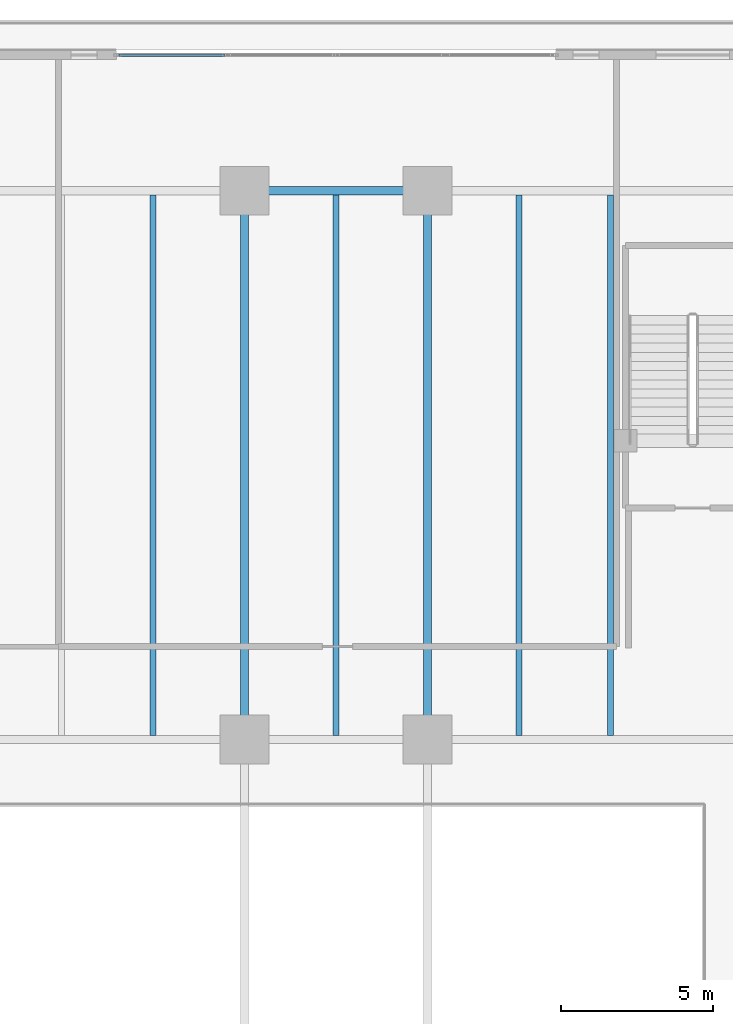
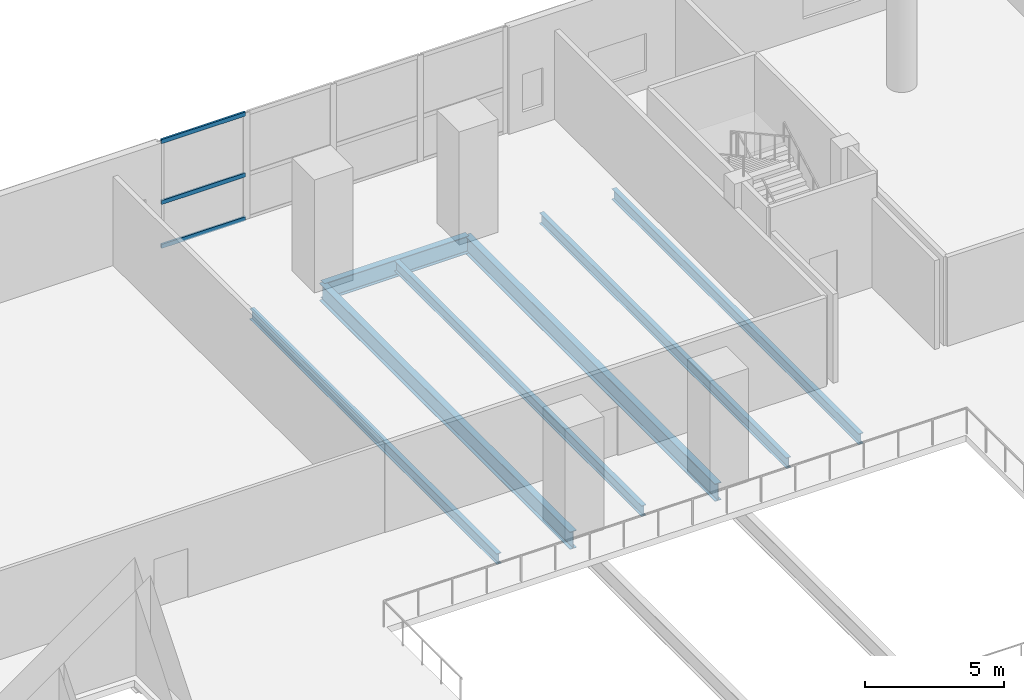
# One storey, part 7 of 27: 7 beams, 3 members, 1 element without a shape of its own.
"""IFC4 building model written with IfcOpenShell, lengths in metres."""

from ifc_helpers import new_model, si_unit, direction, frame, origin, origin_2d, place, context, subcontext, project, spatial, hollow_rectangle, i_section, extrude, material, layer, layer_set, material_profile, profile_set, type_object, element, aggregate, save


model = new_model("IFC4")

# Units and contexts
model_context = context("Model", 3, precision=1e-05, world=origin(), true_north=direction((0.0, 1.0)))
body_context = subcontext(model_context, "Body", "Model", "MODEL_VIEW")
ifc_project = project(units=[si_unit("LENGTHUNIT", "METRE"), si_unit("AREAUNIT", "SQUARE_METRE"), si_unit("VOLUMEUNIT", "CUBIC_METRE"), si_unit("PLANEANGLEUNIT", "RADIAN"), si_unit("MASSUNIT", "GRAM", prefix="KILO")], contexts=[model_context])

# Site, building, storey
site_placement = place(None, origin())
site = spatial("IfcSite", under=ifc_project, at=site_placement, CompositionType="ELEMENT")
building_placement = place(site_placement, origin())
building = spatial("IfcBuilding", under=site, at=building_placement, Name="Tanjung Sevakor Pilgrim Tower", CompositionType="ELEMENT")
storey_placement = place(building_placement, frame((0.0, 0.0, 9.89990234375)))
storey = spatial("IfcBuildingStorey", under=building, at=storey_placement, Name="L03", CompositionType="ELEMENT", Elevation=9.89990234375)

# Beams
ifc_material_1 = material(Name="Steel S355J2", Category="steel")
ifc_material_profile_1 = material_profile(ifc_material_1, i_section(OverallWidth=0.26806640625, OverallDepth=0.769775390625, WebThickness=0.015625, FlangeThickness=0.025390625, FilletRadius=0.0166015625, at=origin_2d()))
ifc_profile_set_1 = profile_set([ifc_material_profile_1], Name="Steel S355J2")
beam_type_1 = type_object("IfcBeamType", Name="BM-B-G1-UB_762x267x197", PredefinedType="BEAM", material=ifc_profile_set_1)
for number, where, z_axis, x_axis, name in (
    (1, (54.0, 42.60009765625, -0.664794921875), (0.0, 1.0, 0.0), (-1.0, 0.0, 0.0), "L03 Podium Girder NS X54-3"),
    (2, (60.0, 42.60009765625, -0.664794921875), (0.0, 1.0, 0.0), (-1.0, 0.0, 0.0), "L03 Podium Girder NS X60-3"),
):
    element("IfcBeam", number, at=place(storey_placement, frame(where, z_axis=z_axis, x_axis=x_axis)), inside=storey, type_object=beam_type_1, Name=name, PredefinedType="BEAM", context=body_context, shape_type="SweptSolid", body=[
        extrude(i_section(OverallWidth=0.26806640625, OverallDepth=0.769775390625, WebThickness=0.015625, FlangeThickness=0.025390625, FilletRadius=0.0166015625, at=origin_2d()), origin(), (0.0, 0.0, 1.0), 18.0),
    ])
ifc_material_2 = material(Name="Steel S355J2", Category="steel")
ifc_material_profile_2 = material_profile(ifc_material_2, i_section(OverallWidth=0.19287109375, OverallDepth=0.46728515625, WebThickness=0.011474609375, FlangeThickness=0.01953125, FilletRadius=0.01025390625, at=origin_2d()))
ifc_profile_set_2 = profile_set([ifc_material_profile_2], Name="Steel S355J2")
beam_type_2 = type_object("IfcBeamType", Name="BM-B-J1-UB_457x191x98", PredefinedType="JOIST", material=ifc_profile_set_2)
for number, where, z_axis, x_axis, name in (
    (3, (51.0, 42.7333984375, -0.513427734375), (0.0, 1.0, 0.0), (-1.0, 0.0, 0.0), "L03 Secondary Joist 024"),
    (4, (57.0, 42.7333984375, -0.513427734375), (0.0, 1.0, 0.0), (-1.0, 0.0, 0.0), "L03 Secondary Joist 026"),
    (5, (63.0, 42.7333984375, -0.513427734375), (0.0, 1.0, 0.0), (-1.0, 0.0, 0.0), "L03 Secondary Joist 028"),
    (6, (66.0, 42.7333984375, -0.513427734375), (0.0, 1.0, 0.0), (-1.0, 0.0, 0.0), "L03 Secondary Joist 030"),
):
    element("IfcBeam", number, at=place(storey_placement, frame(where, z_axis=z_axis, x_axis=x_axis)), inside=storey, type_object=beam_type_2, Name=name, PredefinedType="JOIST", context=body_context, shape_type="SweptSolid", body=[
        extrude(i_section(OverallWidth=0.19287109375, OverallDepth=0.46728515625, WebThickness=0.011474609375, FlangeThickness=0.01953125, FilletRadius=0.01025390625, at=origin_2d()), origin(), (0.0, 0.0, 1.0), 17.7333984375),
    ])
ifc_material_3 = material(Name="Steel S355J2", Category="steel")
ifc_material_profile_3 = material_profile(ifc_material_3, i_section(OverallWidth=0.2666015625, OverallDepth=0.76220703125, WebThickness=0.014404296875, FlangeThickness=0.021484375, FilletRadius=0.0166015625, at=origin_2d()))
ifc_profile_set_3 = profile_set([ifc_material_profile_3], Name="Steel S355J2")
beam_type_3 = type_object("IfcBeamType", Name="BM-B-POD4-UB_762x267x173", PredefinedType="BEAM", material=ifc_profile_set_3)
beam_placement = place(storey_placement, frame((54.0, 60.60009765625, -0.660888671875), z_axis=(1.0, 0.0, 0.0), x_axis=(0.0, 1.0, 0.0)))
element("IfcBeam", 7, at=beam_placement, inside=storey, type_object=beam_type_3, Name="L03 Podium Girder EW Y60.6-4", PredefinedType="BEAM", context=body_context, shape_type="SweptSolid", body=[
    extrude(i_section(OverallWidth=0.2666015625, OverallDepth=0.76220703125, WebThickness=0.014404296875, FlangeThickness=0.021484375, FilletRadius=0.0166015625, at=origin_2d()), origin(), (0.0, 0.0, 1.0), 6.0),
])

# Curtain wall, members
ifc_material_4 = material(Name="Aluminium 6063-T6 and Low-E Glass", Category="aluminium")
ifc_layer = layer(ifc_material_4, 0.179931640625)
ifc_layer_set = layer_set([ifc_layer], Name="CW-SYS-POD")
curtain_wall_type = type_object("IfcCurtainWallType", Name="CW-SYS-POD", PredefinedType="NOTDEFINED", material=ifc_layer_set)
curtain_wall_placement = place(storey_placement, origin())
curtain_wall = element("IfcCurtainWall", 8, at=curtain_wall_placement, inside=storey, type_object=curtain_wall_type, Name="L03 Curtain Wall CW-POD-L03-N", PredefinedType="NOTDEFINED")
ifc_material_5 = material(Name="Aluminium 6063-T6", Category="aluminium")
ifc_material_profile_4 = material_profile(ifc_material_5, hollow_rectangle(XDim=0.080078125, YDim=0.179931640625, WallThickness=0.0048828125, at=origin_2d()))
ifc_profile_set_4 = profile_set([ifc_material_profile_4], Name="Aluminium 6063-T6")
member_type = type_object("IfcMemberType", Name="TYPE-CWT-3", PredefinedType="USERDEFINED", material=ifc_profile_set_4)
member_1_placement = place(storey_placement, frame((53.360107421875, 65.050048828125, 0.0400390625), z_axis=(-1.0, 0.0, 0.0), x_axis=(0.0, -1.0, 0.0)))
member_1 = element("IfcMember", 9, at=member_1_placement, type_object=member_type, Name="CW-POD transom 4.1", ObjectType="TRANSOM", PredefinedType="USERDEFINED", context=body_context, shape_type="SweptSolid", body=[
    extrude(hollow_rectangle(XDim=0.080078125, YDim=0.179931640625, WallThickness=0.0048828125, at=origin_2d()), origin(), (0.0, 0.0, 1.0), 3.480224609375),
])
member_2_placement = place(storey_placement, frame((53.360107421875, 65.050048828125, 1.96142578125), z_axis=(-1.0, 0.0, 0.0), x_axis=(0.0, -1.0, 0.0)))
member_2 = element("IfcMember", 10, at=member_2_placement, type_object=member_type, Name="CW-POD transom 4.2", ObjectType="TRANSOM", PredefinedType="USERDEFINED", context=body_context, shape_type="SweptSolid", body=[
    extrude(hollow_rectangle(XDim=0.080078125, YDim=0.179931640625, WallThickness=0.0048828125, at=origin_2d()), origin(), (0.0, 0.0, 1.0), 3.480224609375),
])
member_3_placement = place(storey_placement, frame((53.360107421875, 65.050048828125, 4.630126953125), z_axis=(-1.0, 0.0, 0.0), x_axis=(0.0, -1.0, 0.0)))
member_3 = element("IfcMember", 11, at=member_3_placement, type_object=member_type, Name="CW-POD transom 4.3", ObjectType="TRANSOM", PredefinedType="USERDEFINED", context=body_context, shape_type="SweptSolid", body=[
    extrude(hollow_rectangle(XDim=0.080078125, YDim=0.179931640625, WallThickness=0.0048828125, at=origin_2d()), origin(), (0.0, 0.0, 1.0), 3.480224609375),
])
aggregate(curtain_wall, [member_1, member_2, member_3])

save(model, "model.ifc")
